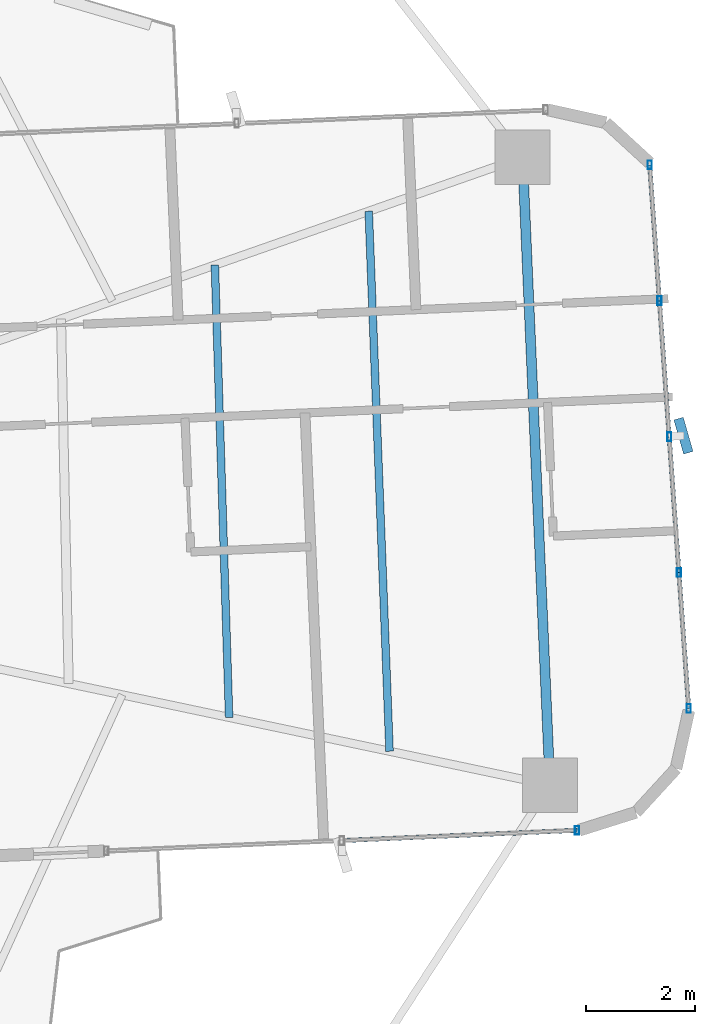
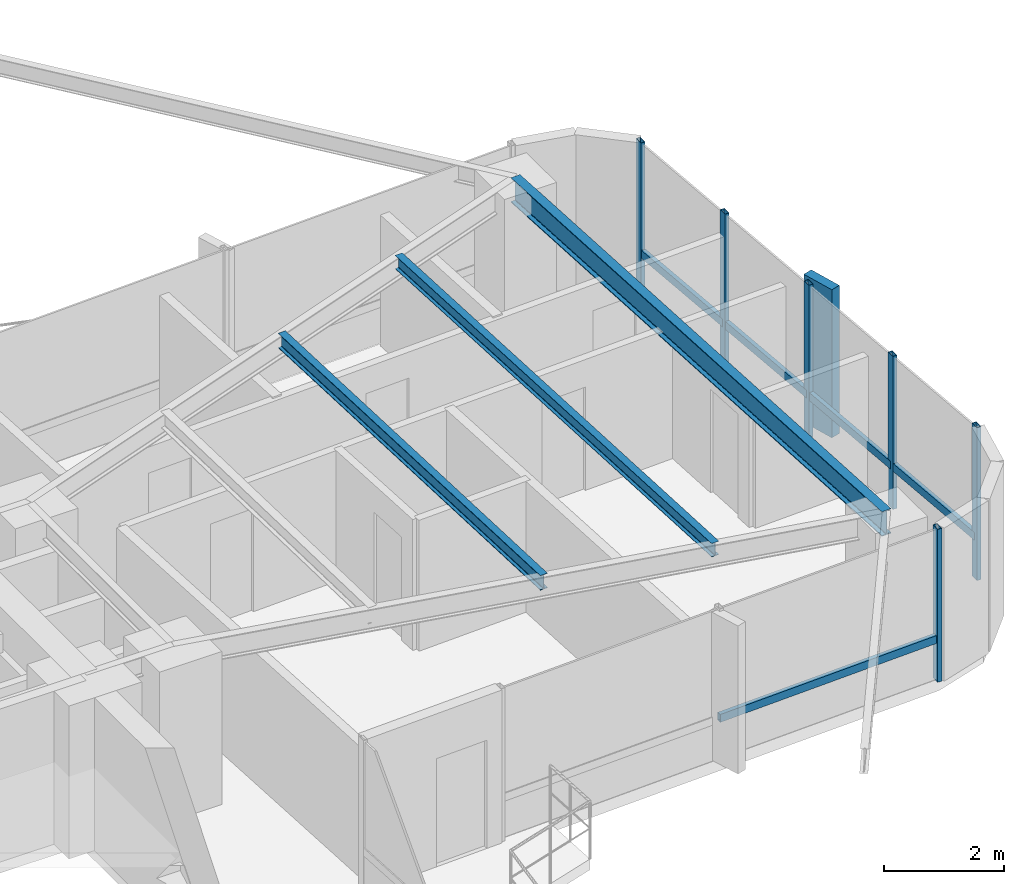
# One storey, part 15 of 26: 12 members, 3 beams, 2 elements without a shape of their own.
"""IFC4 building model written with IfcOpenShell, lengths in metres."""

from ifc_helpers import new_model, si_unit, direction, frame, origin, origin_2d, place, context, subcontext, project, spatial, rectangle, hollow_rectangle, i_section, extrude, source, transform, mapped, material, material_profile, profile_set, type_object, element, aggregate, save


model = new_model("IFC4")

# Units and contexts
model_context = context("Model", 3, precision=1e-05, world=origin(), true_north=direction((0.0, 1.0)))
body_context = subcontext(model_context, "Body", "Model", "MODEL_VIEW")
ifc_project = project(units=[si_unit("LENGTHUNIT", "METRE"), si_unit("AREAUNIT", "SQUARE_METRE"), si_unit("VOLUMEUNIT", "CUBIC_METRE"), si_unit("PLANEANGLEUNIT", "RADIAN"), si_unit("MASSUNIT", "GRAM", prefix="KILO")], contexts=[model_context])

# Site, building, storey
site_placement = place(None, origin())
site = spatial("IfcSite", under=ifc_project, at=site_placement, CompositionType="ELEMENT")
building_placement = place(site_placement, origin())
building = spatial("IfcBuilding", under=site, at=building_placement, Name="Sahyath Konkavel Grand Hotel", CompositionType="ELEMENT")
storey_placement = place(building_placement, frame((0.0, 0.0, 131.550048828125)))
storey = spatial("IfcBuildingStorey", under=building, at=storey_placement, Name="L36", CompositionType="ELEMENT", Elevation=131.550048828125)

# Beams
ifc_material_1 = material(Name="Steel E350", Category="steel")
ifc_material_profile_1 = material_profile(ifc_material_1, i_section(OverallWidth=0.179931640625, OverallDepth=0.5, WebThickness=0.01025390625, FlangeThickness=0.01708984375, FilletRadius=0.01708984375, at=origin_2d()), Name="ISMB 500")
ifc_profile_set_1 = profile_set([ifc_material_profile_1], Name="Steel E350")
beam_type_1 = type_object("IfcBeamType", Name="BM-ISMB500", PredefinedType="BEAM", material=ifc_profile_set_1)
shared_shape_1 = source(origin(), body_context, "Body", "SweptSolid", [
    extrude(i_section(OverallWidth=0.179931640625, OverallDepth=0.5, WebThickness=0.01025390625, FlangeThickness=0.01708984375, FilletRadius=0.01708984375, at=origin_2d()), origin(), (0.0, 0.0, 1.0), 11.5),
])
beam_1_placement = place(storey_placement, frame((17.734130859375, -4.981201171875, 2.85986328125), z_axis=(-0.043627008892, 0.99904788879, 0.0), x_axis=(-0.99904788879, -0.043627008892, 0.0)))
element("IfcBeam", 1, at=beam_1_placement, inside=storey, type_object=beam_type_1, Name="L36 Wing Tip Edge Beam E", PredefinedType="BEAM", context=body_context, shape_type="MappedRepresentation", body=[
    mapped(shared_shape_1, transform((0.0, 0.0, 0.0), scale=1.0)),
])
ifc_material_profile_2 = material_profile(ifc_material_1, i_section(OverallWidth=0.139892578125, OverallDepth=0.300048828125, WebThickness=0.0078125, FlangeThickness=0.01318359375, FilletRadius=0.013916015625, at=origin_2d()), Name="ISMB 300")
ifc_profile_set_2 = profile_set([ifc_material_profile_2], Name="Steel E350")
beam_type_2 = type_object("IfcBeamType", Name="BM-ISMB300", PredefinedType="BEAM", material=ifc_profile_set_2)
shared_shape_2 = source(origin(), body_context, "Body", "SweptSolid", [
    extrude(i_section(OverallWidth=0.139892578125, OverallDepth=0.300048828125, WebThickness=0.0078125, FlangeThickness=0.01318359375, FilletRadius=0.013916015625, at=origin_2d()), origin(), (0.0, 0.0, 1.0), 8.282470703125),
])
beam_2_placement = place(storey_placement, frame((11.86181640625, -3.7421875, 2.9599609375), z_axis=(-0.031510827707, 0.999503410568, 0.0), x_axis=(-0.999503410568, -0.031510827707, 0.0)))
element("IfcBeam", 2, at=beam_2_placement, inside=storey, type_object=beam_type_2, Name="L36 Secondary Floor Beam E-2", PredefinedType="BEAM", context=body_context, shape_type="MappedRepresentation", body=[
    mapped(shared_shape_2, transform((0.0, 0.0, 0.0), scale=1.0)),
])
ifc_material_profile_3 = material_profile(ifc_material_1, i_section(OverallWidth=0.139892578125, OverallDepth=0.27490234375, WebThickness=0.00634765625, FlangeThickness=0.0087890625, FilletRadius=0.012939453125, at=origin_2d()), Name="ISLB 275")
ifc_profile_set_3 = profile_set([ifc_material_profile_3], Name="Steel E350")
beam_type_3 = type_object("IfcBeamType", Name="BM-ISLB275", PredefinedType="BEAM", material=ifc_profile_set_3)
shared_shape_3 = source(origin(), body_context, "Body", "SweptSolid", [
    extrude(i_section(OverallWidth=0.139892578125, OverallDepth=0.27490234375, WebThickness=0.00634765625, FlangeThickness=0.0087890625, FilletRadius=0.012939453125, at=origin_2d()), origin(), (0.0, 0.0, 1.0), 9.89111328125),
])
beam_3_placement = place(storey_placement, frame((14.798095703125, -4.36181640625, 2.972412109375), z_axis=(-0.03855445741, 0.999256500511, 0.0), x_axis=(-0.999256500511, -0.03855445741, 0.0)))
element("IfcBeam", 3, at=beam_3_placement, inside=storey, type_object=beam_type_3, Name="L36 Secondary Floor Beam E-3", PredefinedType="BEAM", context=body_context, shape_type="MappedRepresentation", body=[
    mapped(shared_shape_3, transform((0.0, 0.0, 0.0), scale=1.0)),
])

# Curtain wall, member
ifc_material_2 = material(Name="Anodised Bronze Aluminium & Low-E Glazing", Category="aluminium")
curtain_wall_type = type_object("IfcCurtainWallType", Name="CW-ZONE2", PredefinedType="NOTDEFINED", material=ifc_material_2)
curtain_wall_1_placement = place(storey_placement, origin())
curtain_wall_1 = element("IfcCurtainWall", 4, at=curtain_wall_1_placement, inside=storey, type_object=curtain_wall_type, Name="L36 Unitised Curtain Wall F0", PredefinedType="NOTDEFINED")
ifc_material_3 = material(Name="Anodised Bronze Aluminium", Category="aluminium")
ifc_material_profile_4 = material_profile(ifc_material_3, hollow_rectangle(XDim=0.080078125, YDim=0.159912109375, WallThickness=0.006103515625, at=origin_2d()), Name="RHS 160x80x6")
ifc_profile_set_4 = profile_set([ifc_material_profile_4], Name="Anodised Bronze Aluminium")
member_type_1 = type_object("IfcMemberType", Name="CW-MUL-160", PredefinedType="MULLION", material=ifc_profile_set_4)
shared_shape_4 = source(origin(), body_context, "Body", "SweptSolid", [
    extrude(hollow_rectangle(XDim=0.080078125, YDim=0.159912109375, WallThickness=0.006103515625, at=origin_2d()), origin(), (0.0, 0.0, 1.0), 3.10986328125),
])
member_1_placement = place(storey_placement, frame((18.230712890625, -5.810302734375, 0.0), z_axis=(0.0, 0.0, 1.0), x_axis=(1.0, 0.0, 0.0)))
member_1 = element("IfcMember", 5, at=member_1_placement, type_object=member_type_1, Name="L36 Curtain Wall Mullion F0-2", PredefinedType="MULLION", context=body_context, shape_type="MappedRepresentation", body=[
    mapped(shared_shape_4, transform((0.0, 0.0, 0.0), scale=1.0)),
])

# Curtain wall, members
curtain_wall_2_placement = place(storey_placement, origin())
curtain_wall_2 = element("IfcCurtainWall", 6, at=curtain_wall_2_placement, inside=storey, type_object=curtain_wall_type, Name="L36 Unitised Curtain Wall F4", PredefinedType="NOTDEFINED")
member_2_placement = place(storey_placement, frame((20.2744140625, -3.5791015625, 0.0), z_axis=(0.0, 0.0, 1.0), x_axis=(1.0, 0.0, 0.0)))
member_2 = element("IfcMember", 7, at=member_2_placement, type_object=member_type_1, Name="L36 Curtain Wall Mullion F4-0", PredefinedType="MULLION", context=body_context, shape_type="MappedRepresentation", body=[
    mapped(shared_shape_4, transform((0.0, 0.0, 0.0), scale=1.0)),
])
member_3_placement = place(storey_placement, frame((20.095947265625, -1.092041015625, 0.0), z_axis=(0.0, 0.0, 1.0), x_axis=(1.0, 0.0, 0.0)))
member_3 = element("IfcMember", 8, at=member_3_placement, type_object=member_type_1, Name="L36 Curtain Wall Mullion F4-1", PredefinedType="MULLION", context=body_context, shape_type="MappedRepresentation", body=[
    mapped(shared_shape_4, transform((0.0, 0.0, 0.0), scale=1.0)),
])
member_4_placement = place(storey_placement, frame((19.91748046875, 1.39501953125, 0.0), z_axis=(0.0, 0.0, 1.0), x_axis=(1.0, 0.0, 0.0)))
member_4 = element("IfcMember", 9, at=member_4_placement, type_object=member_type_1, Name="L36 Curtain Wall Mullion F4-2", PredefinedType="MULLION", context=body_context, shape_type="MappedRepresentation", body=[
    mapped(shared_shape_4, transform((0.0, 0.0, 0.0), scale=1.0)),
])
member_5_placement = place(storey_placement, frame((19.739013671875, 3.882080078125, 0.0), z_axis=(0.0, 0.0, 1.0), x_axis=(1.0, 0.0, 0.0)))
member_5 = element("IfcMember", 10, at=member_5_placement, type_object=member_type_1, Name="L36 Curtain Wall Mullion F4-3", PredefinedType="MULLION", context=body_context, shape_type="MappedRepresentation", body=[
    mapped(shared_shape_4, transform((0.0, 0.0, 0.0), scale=1.0)),
])
member_6_placement = place(storey_placement, frame((19.560546875, 6.369384765625, 0.0), z_axis=(0.0, 0.0, 1.0), x_axis=(1.0, 0.0, 0.0)))
member_6 = element("IfcMember", 11, at=member_6_placement, type_object=member_type_1, Name="L36 Curtain Wall Mullion F4-4", PredefinedType="MULLION", context=body_context, shape_type="MappedRepresentation", body=[
    mapped(shared_shape_4, transform((0.0, 0.0, 0.0), scale=1.0)),
])
ifc_material_4 = material(Name="Warm Buff Sandstone Cladding on Concrete C50/60", Category="masonry")
ifc_material_profile_5 = material_profile(ifc_material_4, rectangle(XDim=0.179931640625, YDim=0.64990234375, at=origin_2d()), Name="FIN 180x650")
ifc_profile_set_5 = profile_set([ifc_material_profile_5], Name="Warm Buff Sandstone Cladding on Concrete C50/60")
member_type_2 = type_object("IfcMemberType", Name="FIN-SANDSTONE-650", PredefinedType="MULLION", material=ifc_profile_set_5)
shared_shape_5 = source(origin(), body_context, "Body", "SweptSolid", [
    extrude(rectangle(XDim=0.179931640625, YDim=0.64990234375, at=origin_2d()), origin(), (0.0, 0.0, 1.0), 3.010009765625),
])
member_7_placement = place(storey_placement, frame((20.1767578125, 1.413818359375, 0.050048828125), z_axis=(0.0, 0.0, 1.0), x_axis=(0.961693479997, 0.274127070043, 0.0)))
member_7 = element("IfcMember", 12, at=member_7_placement, type_object=member_type_2, Name="L36 Sandstone Vertical Solar Fin FIN F4-2", PredefinedType="MULLION", context=body_context, shape_type="MappedRepresentation", body=[
    mapped(shared_shape_5, transform((0.0, 0.0, 0.0), scale=1.0)),
])

# Member
ifc_material_profile_6 = material_profile(ifc_material_3, hollow_rectangle(XDim=0.080078125, YDim=0.159912109375, WallThickness=0.006103515625, at=origin_2d()), Name="RHS 160x80x6")
ifc_profile_set_6 = profile_set([ifc_material_profile_6], Name="Anodised Bronze Aluminium")
member_type_3 = type_object("IfcMemberType", Name="CW-TRN-160", PredefinedType="USERDEFINED", material=ifc_profile_set_6)
shared_shape_6 = source(origin(), body_context, "Body", "SweptSolid", [
    extrude(hollow_rectangle(XDim=0.080078125, YDim=0.159912109375, WallThickness=0.006103515625, at=origin_2d()), origin(), (0.0, 0.0, 1.0), 4.31005859375),
])
member_8_placement = place(storey_placement, frame((13.9248046875, -5.998291015625, 0.849853515625), z_axis=(0.999048340188, 0.043616670746, 0.0), x_axis=(-0.043616670746, 0.999048340188, 0.0)))
member_8 = element("IfcMember", 13, at=member_8_placement, type_object=member_type_3, Name="L36 Curtain Wall Transom F0-1-spandrel", ObjectType="TRANSOM", PredefinedType="USERDEFINED", context=body_context, shape_type="MappedRepresentation", body=[
    mapped(shared_shape_6, transform((0.0, 0.0, 0.0), scale=1.0)),
])

aggregate(curtain_wall_1, [member_1, member_8])

shared_shape_7 = source(origin(), body_context, "Body", "SweptSolid", [
    extrude(hollow_rectangle(XDim=0.080078125, YDim=0.159912109375, WallThickness=0.006103515625, at=origin_2d()), origin(), (0.0, 0.0, 1.0), 2.493408203125),
])
member_9_placement = place(storey_placement, frame((20.2744140625, -3.5791015625, 0.849853515625), z_axis=(-0.071574084062, 0.997435286367, 0.0), x_axis=(-0.997435286367, -0.071574084062, 0.0)))
member_9 = element("IfcMember", 14, at=member_9_placement, type_object=member_type_3, Name="L36 Curtain Wall Transom F4-0-spandrel", ObjectType="TRANSOM", PredefinedType="USERDEFINED", context=body_context, shape_type="MappedRepresentation", body=[
    mapped(shared_shape_7, transform((0.0, 0.0, 0.0), scale=1.0)),
])

member_10_placement = place(storey_placement, frame((20.095947265625, -1.092041015625, 0.849853515625), z_axis=(-0.071574084062, 0.997435286367, 0.0), x_axis=(-0.997435286367, -0.071574084062, 0.0)))
member_10 = element("IfcMember", 15, at=member_10_placement, type_object=member_type_3, Name="L36 Curtain Wall Transom F4-1-spandrel", ObjectType="TRANSOM", PredefinedType="USERDEFINED", context=body_context, shape_type="MappedRepresentation", body=[
    mapped(shared_shape_7, transform((0.0, 0.0, 0.0), scale=1.0)),
])

member_11_placement = place(storey_placement, frame((19.91748046875, 1.39501953125, 0.849853515625), z_axis=(-0.071574084062, 0.997435286367, 0.0), x_axis=(-0.997435286367, -0.071574084062, 0.0)))
member_11 = element("IfcMember", 16, at=member_11_placement, type_object=member_type_3, Name="L36 Curtain Wall Transom F4-2-spandrel", ObjectType="TRANSOM", PredefinedType="USERDEFINED", context=body_context, shape_type="MappedRepresentation", body=[
    mapped(shared_shape_7, transform((0.0, 0.0, 0.0), scale=1.0)),
])

shared_shape_8 = source(origin(), body_context, "Body", "SweptSolid", [
    extrude(hollow_rectangle(XDim=0.080078125, YDim=0.159912109375, WallThickness=0.006103515625, at=origin_2d()), origin(), (0.0, 0.0, 1.0), 2.49365234375),
])
member_12_placement = place(storey_placement, frame((19.739013671875, 3.882080078125, 0.849853515625), z_axis=(-0.071567094714, 0.997435787885, 0.0), x_axis=(-0.997435787885, -0.071567094714, 0.0)))
member_12 = element("IfcMember", 17, at=member_12_placement, type_object=member_type_3, Name="L36 Curtain Wall Transom F4-3-spandrel", ObjectType="TRANSOM", PredefinedType="USERDEFINED", context=body_context, shape_type="MappedRepresentation", body=[
    mapped(shared_shape_8, transform((0.0, 0.0, 0.0), scale=1.0)),
])

aggregate(curtain_wall_2, [member_2, member_3, member_4, member_7, member_5, member_6, member_9, member_10, member_11, member_12])

save(model, "model.ifc")
